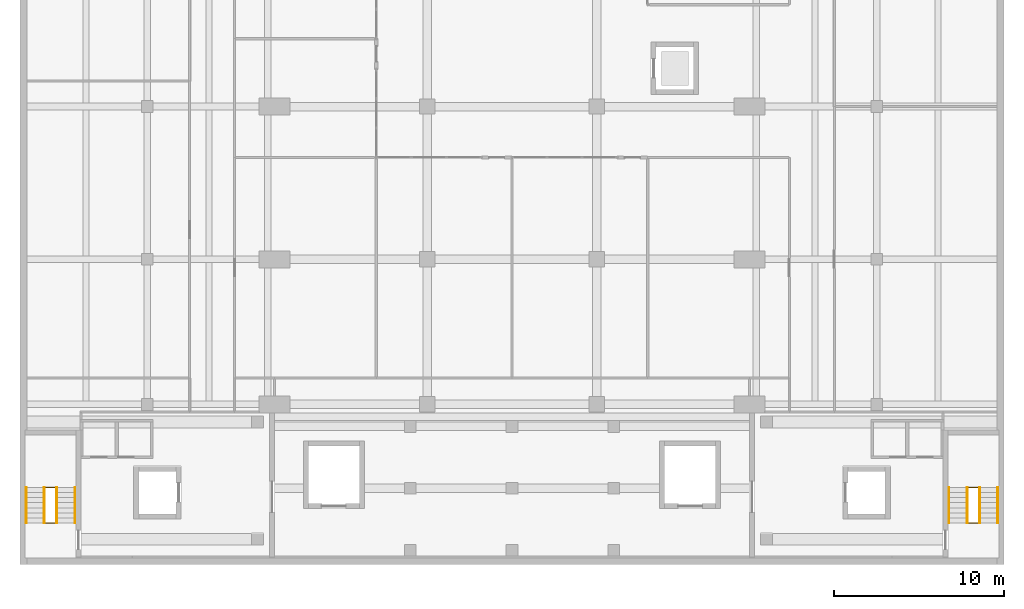
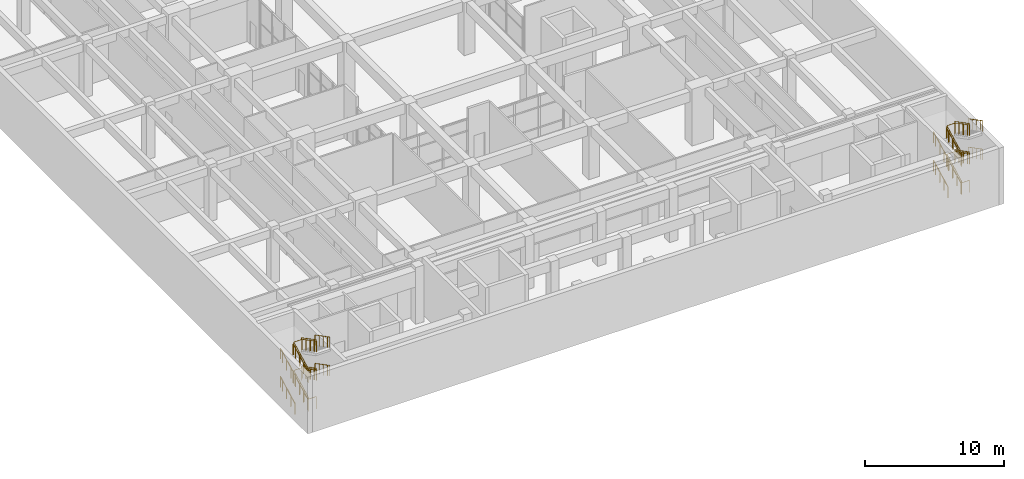
# One storey, part 27 of 29: 18 railings.
"""IFC4 building model written with IfcOpenShell, lengths in metres."""

from ifc_helpers import new_model, si_unit, direction, frame, origin, origin_2d, place, context, subcontext, project, spatial, circle, extrude, material, type_object, element, save


model = new_model("IFC4")

# Units and contexts
model_context = context("Model", 3, precision=1e-05, world=origin(), true_north=direction((0.0, 1.0)))
body_context = subcontext(model_context, "Body", "Model", "MODEL_VIEW")
ifc_project = project(units=[si_unit("LENGTHUNIT", "METRE"), si_unit("AREAUNIT", "SQUARE_METRE"), si_unit("VOLUMEUNIT", "CUBIC_METRE"), si_unit("PLANEANGLEUNIT", "RADIAN"), si_unit("MASSUNIT", "GRAM", prefix="KILO")], contexts=[model_context])

# Site, building, storey
site_placement = place(None, origin())
site = spatial("IfcSite", under=ifc_project, at=site_placement, CompositionType="ELEMENT")
building_placement = place(site_placement, origin())
building = spatial("IfcBuilding", under=site, at=building_placement, Name="Elmora Arch Market Hall", CompositionType="ELEMENT")
storey_placement = place(building_placement, frame((0.0, 0.0, -5.0)))
storey = spatial("IfcBuildingStorey", under=building, at=storey_placement, Name="LG", CompositionType="ELEMENT", Elevation=-5.0)

# Railings
ifc_material_1 = material(Name="Steel ASTM A500 Gr C", Category="steel")
railing_type_1 = type_object("IfcRailingType", Name="Stair guard 1100", PredefinedType="GUARDRAIL", material=ifc_material_1)
railing_1_placement = place(storey_placement, frame((2.1201171875, 20.449951171875, 0.0)))
element("IfcRailing", 1, at=railing_1_placement, inside=storey, type_object=railing_type_1, Name="Stair ST-WS guard LG", PredefinedType="GUARDRAIL", context=body_context, shape_type="SweptSolid", body=[
    extrude(circle(Radius=0.02392578125, at=origin_2d()), frame((0.0, 0.0, 1.076171875), z_axis=(-1.0, 0.0, 0.0), x_axis=(0.0, -1.0, 0.0)), (0.0, 0.0, 1.0), 0.64013671875),
    extrude(circle(Radius=0.02392578125, at=origin_2d()), frame((-0.64013671875, 0.0, 1.076171875), z_axis=(0.0, 0.0, 1.0), x_axis=(1.0, 0.0, 0.0)), (0.0, 0.0, 1.0), 0.15625),
    extrude(circle(Radius=0.02392578125, at=origin_2d()), frame((-0.64013671875, 0.0, 1.232421875), z_axis=(0.0, 0.886944881109, 0.461875283897), x_axis=(-1.0, 0.0, 0.0)), (0.0, 0.0, 1.0), 0.676513671875),
    extrude(circle(Radius=0.02392578125, at=origin_2d()), frame((-0.64013671875, 0.60009765625, 1.544921875), z_axis=(0.0, 0.886867866569, 0.462023145791), x_axis=(-1.0, 0.0, 0.0)), (0.0, 0.0, 1.0), 0.67626953125),
    extrude(circle(Radius=0.02392578125, at=origin_2d()), frame((-0.64013671875, 1.199951171875, 1.857421875), z_axis=(0.0, 0.886944881109, 0.461875283897), x_axis=(-1.0, 0.0, 0.0)), (0.0, 0.0, 1.0), 0.676513671875),
    extrude(circle(Radius=0.02392578125, at=origin_2d()), frame((-0.64013671875, 1.800048828125, 2.169921875), z_axis=(0.0, 0.886944881109, 0.461875283897), x_axis=(-1.0, 0.0, 0.0)), (0.0, 0.0, 1.0), 0.33837890625),
    extrude(circle(Radius=0.02392578125, at=origin_2d()), frame((-0.64013671875, 2.10009765625, 2.326171875), z_axis=(1.0, 0.0, 0.0), x_axis=(0.0, 1.0, 0.0)), (0.0, 0.0, 1.0), 0.64013671875),
    extrude(circle(Radius=0.02392578125, at=origin_2d()), frame((0.0, 2.10009765625, 2.326171875), z_axis=(0.0, 0.0, 1.0), x_axis=(1.0, 0.0, 0.0)), (0.0, 0.0, 1.0), 0.15625),
    extrude(circle(Radius=0.02392578125, at=origin_2d()), frame((0.0, 2.10009765625, 2.482421875), z_axis=(0.0, -0.886944881109, 0.461875283897), x_axis=(1.0, 0.0, 0.0)), (0.0, 0.0, 1.0), 0.676513671875),
    extrude(circle(Radius=0.02392578125, at=origin_2d()), frame((0.0, 1.5, 2.794921875), z_axis=(0.0, -0.886867866569, 0.462023145791), x_axis=(1.0, 0.0, 0.0)), (0.0, 0.0, 1.0), 0.67626953125),
    extrude(circle(Radius=0.02392578125, at=origin_2d()), frame((0.0, 0.900146484375, 3.107421875), z_axis=(0.0, -0.886944881109, 0.461875283897), x_axis=(1.0, 0.0, 0.0)), (0.0, 0.0, 1.0), 0.676513671875),
    extrude(circle(Radius=0.02392578125, at=origin_2d()), frame((0.0, 0.300048828125, 3.419921875), z_axis=(0.0, -0.886944881109, 0.461875283897), x_axis=(1.0, 0.0, 0.0)), (0.0, 0.0, 1.0), 0.33837890625),
    extrude(circle(Radius=0.02392578125, at=origin_2d()), frame((0.0, 0.0, 3.576171875), z_axis=(-1.0, 0.0, 0.0), x_axis=(0.0, -1.0, 0.0)), (0.0, 0.0, 1.0), 0.64013671875),
    extrude(circle(Radius=0.02392578125, at=origin_2d()), frame((-0.64013671875, 0.0, 3.576171875), z_axis=(0.0, 0.0, 1.0), x_axis=(1.0, 0.0, 0.0)), (0.0, 0.0, 1.0), 0.15625),
    extrude(circle(Radius=0.02392578125, at=origin_2d()), frame((-0.64013671875, 0.0, 3.732421875), z_axis=(0.0, 0.886944881109, 0.461875283897), x_axis=(-1.0, 0.0, 0.0)), (0.0, 0.0, 1.0), 0.676513671875),
    extrude(circle(Radius=0.02392578125, at=origin_2d()), frame((-0.64013671875, 0.60009765625, 4.044921875), z_axis=(0.0, 0.886867866569, 0.462023145791), x_axis=(-1.0, 0.0, 0.0)), (0.0, 0.0, 1.0), 0.67626953125),
    extrude(circle(Radius=0.02392578125, at=origin_2d()), frame((-0.64013671875, 1.199951171875, 4.357421875), z_axis=(0.0, 0.886944881109, 0.461875283897), x_axis=(-1.0, 0.0, 0.0)), (0.0, 0.0, 1.0), 0.676513671875),
    extrude(circle(Radius=0.02392578125, at=origin_2d()), frame((-0.64013671875, 1.800048828125, 4.669921875), z_axis=(0.0, 0.886944881109, 0.461875283897), x_axis=(-1.0, 0.0, 0.0)), (0.0, 0.0, 1.0), 0.33837890625),
    extrude(circle(Radius=0.02392578125, at=origin_2d()), frame((-0.64013671875, 2.10009765625, 4.826171875), z_axis=(1.0, 0.0, 0.0), x_axis=(0.0, 1.0, 0.0)), (0.0, 0.0, 1.0), 0.64013671875),
    extrude(circle(Radius=0.02392578125, at=origin_2d()), frame((0.0, 2.10009765625, 4.826171875), z_axis=(0.0, 0.0, 1.0), x_axis=(1.0, 0.0, 0.0)), (0.0, 0.0, 1.0), 0.15625),
    extrude(circle(Radius=0.02392578125, at=origin_2d()), frame((0.0, 2.10009765625, 4.982421875), z_axis=(0.0, -0.886944881109, 0.461875283897), x_axis=(1.0, 0.0, 0.0)), (0.0, 0.0, 1.0), 0.676513671875),
    extrude(circle(Radius=0.02392578125, at=origin_2d()), frame((0.0, 1.5, 5.294921875), z_axis=(0.0, -0.886867866569, 0.462023145791), x_axis=(1.0, 0.0, 0.0)), (0.0, 0.0, 1.0), 0.67626953125),
    extrude(circle(Radius=0.02392578125, at=origin_2d()), frame((0.0, 0.900146484375, 5.607421875), z_axis=(0.0, -0.886944881109, 0.461875283897), x_axis=(1.0, 0.0, 0.0)), (0.0, 0.0, 1.0), 0.676513671875),
    extrude(circle(Radius=0.02392578125, at=origin_2d()), frame((0.0, 0.300048828125, 5.919921875), z_axis=(0.0, -0.886944881109, 0.461875283897), x_axis=(1.0, 0.0, 0.0)), (0.0, 0.0, 1.0), 0.33837890625),
    extrude(circle(Radius=0.02099609375, at=origin_2d()), origin(), (0.0, 0.0, 1.0), 1.052001953125),
    extrude(circle(Radius=0.02099609375, at=origin_2d()), frame((-0.64013671875, 0.0, 0.0)), (0.0, 0.0, 1.0), 1.052001953125),
    extrude(circle(Radius=0.02099609375, at=origin_2d()), frame((-0.64013671875, 0.0, 0.15625)), (0.0, 0.0, 1.0), 1.052001953125),
    extrude(circle(Radius=0.02099609375, at=origin_2d()), frame((-0.64013671875, 0.60009765625, 0.46875)), (0.0, 0.0, 1.0), 1.052001953125),
    extrude(circle(Radius=0.02099609375, at=origin_2d()), frame((-0.64013671875, 1.199951171875, 0.78125)), (0.0, 0.0, 1.0), 1.052001953125),
    extrude(circle(Radius=0.02099609375, at=origin_2d()), frame((-0.64013671875, 1.800048828125, 1.09375)), (0.0, 0.0, 1.0), 1.052001953125),
    extrude(circle(Radius=0.02099609375, at=origin_2d()), frame((-0.64013671875, 2.10009765625, 1.25)), (0.0, 0.0, 1.0), 1.052001953125),
    extrude(circle(Radius=0.02099609375, at=origin_2d()), frame((0.0, 2.10009765625, 1.25)), (0.0, 0.0, 1.0), 1.052001953125),
    extrude(circle(Radius=0.02099609375, at=origin_2d()), frame((0.0, 2.10009765625, 1.40625)), (0.0, 0.0, 1.0), 1.052001953125),
    extrude(circle(Radius=0.02099609375, at=origin_2d()), frame((0.0, 1.5, 1.71875)), (0.0, 0.0, 1.0), 1.052001953125),
    extrude(circle(Radius=0.02099609375, at=origin_2d()), frame((0.0, 0.900146484375, 2.03125)), (0.0, 0.0, 1.0), 1.052001953125),
    extrude(circle(Radius=0.02099609375, at=origin_2d()), frame((0.0, 0.300048828125, 2.34375)), (0.0, 0.0, 1.0), 1.052001953125),
    extrude(circle(Radius=0.02099609375, at=origin_2d()), frame((0.0, 0.0, 2.5)), (0.0, 0.0, 1.0), 1.052001953125),
    extrude(circle(Radius=0.02099609375, at=origin_2d()), frame((-0.64013671875, 0.0, 2.5)), (0.0, 0.0, 1.0), 1.052001953125),
    extrude(circle(Radius=0.02099609375, at=origin_2d()), frame((-0.64013671875, 0.0, 2.65625)), (0.0, 0.0, 1.0), 1.052001953125),
    extrude(circle(Radius=0.02099609375, at=origin_2d()), frame((-0.64013671875, 0.60009765625, 2.96875)), (0.0, 0.0, 1.0), 1.052001953125),
    extrude(circle(Radius=0.02099609375, at=origin_2d()), frame((-0.64013671875, 1.199951171875, 3.28125)), (0.0, 0.0, 1.0), 1.052001953125),
    extrude(circle(Radius=0.02099609375, at=origin_2d()), frame((-0.64013671875, 1.800048828125, 3.59375)), (0.0, 0.0, 1.0), 1.052001953125),
    extrude(circle(Radius=0.02099609375, at=origin_2d()), frame((-0.64013671875, 2.10009765625, 3.75)), (0.0, 0.0, 1.0), 1.052001953125),
    extrude(circle(Radius=0.02099609375, at=origin_2d()), frame((0.0, 2.10009765625, 3.75)), (0.0, 0.0, 1.0), 1.052001953125),
    extrude(circle(Radius=0.02099609375, at=origin_2d()), frame((0.0, 2.10009765625, 3.90625)), (0.0, 0.0, 1.0), 1.052001953125),
    extrude(circle(Radius=0.02099609375, at=origin_2d()), frame((0.0, 1.5, 4.21875)), (0.0, 0.0, 1.0), 1.052001953125),
    extrude(circle(Radius=0.02099609375, at=origin_2d()), frame((0.0, 0.900146484375, 4.53125)), (0.0, 0.0, 1.0), 1.052001953125),
    extrude(circle(Radius=0.02099609375, at=origin_2d()), frame((0.0, 0.300048828125, 4.84375)), (0.0, 0.0, 1.0), 1.052001953125),
    extrude(circle(Radius=0.02099609375, at=origin_2d()), frame((0.0, 0.0, 5.0)), (0.0, 0.0, 1.0), 1.052001953125),
])
railing_2_placement = place(storey_placement, frame((56.52001953125, 20.449951171875, 0.0)))
element("IfcRailing", 2, at=railing_2_placement, inside=storey, type_object=railing_type_1, Name="Stair ST-ES guard LG", PredefinedType="GUARDRAIL", context=body_context, shape_type="SweptSolid", body=[
    extrude(circle(Radius=0.02392578125, at=origin_2d()), frame((0.0, 0.0, 1.076171875), z_axis=(-1.0, 0.0, 0.0), x_axis=(0.0, -1.0, 0.0)), (0.0, 0.0, 1.0), 0.64013671875),
    extrude(circle(Radius=0.02392578125, at=origin_2d()), frame((-0.64013671875, 0.0, 1.076171875), z_axis=(0.0, 0.0, 1.0), x_axis=(1.0, 0.0, 0.0)), (0.0, 0.0, 1.0), 0.15625),
    extrude(circle(Radius=0.02392578125, at=origin_2d()), frame((-0.64013671875, 0.0, 1.232421875), z_axis=(0.0, 0.886944881109, 0.461875283897), x_axis=(-1.0, 0.0, 0.0)), (0.0, 0.0, 1.0), 0.676513671875),
    extrude(circle(Radius=0.02392578125, at=origin_2d()), frame((-0.64013671875, 0.60009765625, 1.544921875), z_axis=(0.0, 0.886867866569, 0.462023145791), x_axis=(-1.0, 0.0, 0.0)), (0.0, 0.0, 1.0), 0.67626953125),
    extrude(circle(Radius=0.02392578125, at=origin_2d()), frame((-0.64013671875, 1.199951171875, 1.857421875), z_axis=(0.0, 0.886944881109, 0.461875283897), x_axis=(-1.0, 0.0, 0.0)), (0.0, 0.0, 1.0), 0.676513671875),
    extrude(circle(Radius=0.02392578125, at=origin_2d()), frame((-0.64013671875, 1.800048828125, 2.169921875), z_axis=(0.0, 0.886944881109, 0.461875283897), x_axis=(-1.0, 0.0, 0.0)), (0.0, 0.0, 1.0), 0.33837890625),
    extrude(circle(Radius=0.02392578125, at=origin_2d()), frame((-0.64013671875, 2.10009765625, 2.326171875), z_axis=(1.0, 0.0, 0.0), x_axis=(0.0, 1.0, 0.0)), (0.0, 0.0, 1.0), 0.64013671875),
    extrude(circle(Radius=0.02392578125, at=origin_2d()), frame((0.0, 2.10009765625, 2.326171875), z_axis=(0.0, 0.0, 1.0), x_axis=(1.0, 0.0, 0.0)), (0.0, 0.0, 1.0), 0.15625),
    extrude(circle(Radius=0.02392578125, at=origin_2d()), frame((0.0, 2.10009765625, 2.482421875), z_axis=(0.0, -0.886944881109, 0.461875283897), x_axis=(1.0, 0.0, 0.0)), (0.0, 0.0, 1.0), 0.676513671875),
    extrude(circle(Radius=0.02392578125, at=origin_2d()), frame((0.0, 1.5, 2.794921875), z_axis=(0.0, -0.886867866569, 0.462023145791), x_axis=(1.0, 0.0, 0.0)), (0.0, 0.0, 1.0), 0.67626953125),
    extrude(circle(Radius=0.02392578125, at=origin_2d()), frame((0.0, 0.900146484375, 3.107421875), z_axis=(0.0, -0.886944881109, 0.461875283897), x_axis=(1.0, 0.0, 0.0)), (0.0, 0.0, 1.0), 0.676513671875),
    extrude(circle(Radius=0.02392578125, at=origin_2d()), frame((0.0, 0.300048828125, 3.419921875), z_axis=(0.0, -0.886944881109, 0.461875283897), x_axis=(1.0, 0.0, 0.0)), (0.0, 0.0, 1.0), 0.33837890625),
    extrude(circle(Radius=0.02392578125, at=origin_2d()), frame((0.0, 0.0, 3.576171875), z_axis=(-1.0, 0.0, 0.0), x_axis=(0.0, -1.0, 0.0)), (0.0, 0.0, 1.0), 0.64013671875),
    extrude(circle(Radius=0.02392578125, at=origin_2d()), frame((-0.64013671875, 0.0, 3.576171875), z_axis=(0.0, 0.0, 1.0), x_axis=(1.0, 0.0, 0.0)), (0.0, 0.0, 1.0), 0.15625),
    extrude(circle(Radius=0.02392578125, at=origin_2d()), frame((-0.64013671875, 0.0, 3.732421875), z_axis=(0.0, 0.886944881109, 0.461875283897), x_axis=(-1.0, 0.0, 0.0)), (0.0, 0.0, 1.0), 0.676513671875),
    extrude(circle(Radius=0.02392578125, at=origin_2d()), frame((-0.64013671875, 0.60009765625, 4.044921875), z_axis=(0.0, 0.886867866569, 0.462023145791), x_axis=(-1.0, 0.0, 0.0)), (0.0, 0.0, 1.0), 0.67626953125),
    extrude(circle(Radius=0.02392578125, at=origin_2d()), frame((-0.64013671875, 1.199951171875, 4.357421875), z_axis=(0.0, 0.886944881109, 0.461875283897), x_axis=(-1.0, 0.0, 0.0)), (0.0, 0.0, 1.0), 0.676513671875),
    extrude(circle(Radius=0.02392578125, at=origin_2d()), frame((-0.64013671875, 1.800048828125, 4.669921875), z_axis=(0.0, 0.886944881109, 0.461875283897), x_axis=(-1.0, 0.0, 0.0)), (0.0, 0.0, 1.0), 0.33837890625),
    extrude(circle(Radius=0.02392578125, at=origin_2d()), frame((-0.64013671875, 2.10009765625, 4.826171875), z_axis=(1.0, 0.0, 0.0), x_axis=(0.0, 1.0, 0.0)), (0.0, 0.0, 1.0), 0.64013671875),
    extrude(circle(Radius=0.02392578125, at=origin_2d()), frame((0.0, 2.10009765625, 4.826171875), z_axis=(0.0, 0.0, 1.0), x_axis=(1.0, 0.0, 0.0)), (0.0, 0.0, 1.0), 0.15625),
    extrude(circle(Radius=0.02392578125, at=origin_2d()), frame((0.0, 2.10009765625, 4.982421875), z_axis=(0.0, -0.886944881109, 0.461875283897), x_axis=(1.0, 0.0, 0.0)), (0.0, 0.0, 1.0), 0.676513671875),
    extrude(circle(Radius=0.02392578125, at=origin_2d()), frame((0.0, 1.5, 5.294921875), z_axis=(0.0, -0.886867866569, 0.462023145791), x_axis=(1.0, 0.0, 0.0)), (0.0, 0.0, 1.0), 0.67626953125),
    extrude(circle(Radius=0.02392578125, at=origin_2d()), frame((0.0, 0.900146484375, 5.607421875), z_axis=(0.0, -0.886944881109, 0.461875283897), x_axis=(1.0, 0.0, 0.0)), (0.0, 0.0, 1.0), 0.676513671875),
    extrude(circle(Radius=0.02392578125, at=origin_2d()), frame((0.0, 0.300048828125, 5.919921875), z_axis=(0.0, -0.886944881109, 0.461875283897), x_axis=(1.0, 0.0, 0.0)), (0.0, 0.0, 1.0), 0.33837890625),
    extrude(circle(Radius=0.02099609375, at=origin_2d()), origin(), (0.0, 0.0, 1.0), 1.052001953125),
    extrude(circle(Radius=0.02099609375, at=origin_2d()), frame((-0.64013671875, 0.0, 0.0)), (0.0, 0.0, 1.0), 1.052001953125),
    extrude(circle(Radius=0.02099609375, at=origin_2d()), frame((-0.64013671875, 0.0, 0.15625)), (0.0, 0.0, 1.0), 1.052001953125),
    extrude(circle(Radius=0.02099609375, at=origin_2d()), frame((-0.64013671875, 0.60009765625, 0.46875)), (0.0, 0.0, 1.0), 1.052001953125),
    extrude(circle(Radius=0.02099609375, at=origin_2d()), frame((-0.64013671875, 1.199951171875, 0.78125)), (0.0, 0.0, 1.0), 1.052001953125),
    extrude(circle(Radius=0.02099609375, at=origin_2d()), frame((-0.64013671875, 1.800048828125, 1.09375)), (0.0, 0.0, 1.0), 1.052001953125),
    extrude(circle(Radius=0.02099609375, at=origin_2d()), frame((-0.64013671875, 2.10009765625, 1.25)), (0.0, 0.0, 1.0), 1.052001953125),
    extrude(circle(Radius=0.02099609375, at=origin_2d()), frame((0.0, 2.10009765625, 1.25)), (0.0, 0.0, 1.0), 1.052001953125),
    extrude(circle(Radius=0.02099609375, at=origin_2d()), frame((0.0, 2.10009765625, 1.40625)), (0.0, 0.0, 1.0), 1.052001953125),
    extrude(circle(Radius=0.02099609375, at=origin_2d()), frame((0.0, 1.5, 1.71875)), (0.0, 0.0, 1.0), 1.052001953125),
    extrude(circle(Radius=0.02099609375, at=origin_2d()), frame((0.0, 0.900146484375, 2.03125)), (0.0, 0.0, 1.0), 1.052001953125),
    extrude(circle(Radius=0.02099609375, at=origin_2d()), frame((0.0, 0.300048828125, 2.34375)), (0.0, 0.0, 1.0), 1.052001953125),
    extrude(circle(Radius=0.02099609375, at=origin_2d()), frame((0.0, 0.0, 2.5)), (0.0, 0.0, 1.0), 1.052001953125),
    extrude(circle(Radius=0.02099609375, at=origin_2d()), frame((-0.64013671875, 0.0, 2.5)), (0.0, 0.0, 1.0), 1.052001953125),
    extrude(circle(Radius=0.02099609375, at=origin_2d()), frame((-0.64013671875, 0.0, 2.65625)), (0.0, 0.0, 1.0), 1.052001953125),
    extrude(circle(Radius=0.02099609375, at=origin_2d()), frame((-0.64013671875, 0.60009765625, 2.96875)), (0.0, 0.0, 1.0), 1.052001953125),
    extrude(circle(Radius=0.02099609375, at=origin_2d()), frame((-0.64013671875, 1.199951171875, 3.28125)), (0.0, 0.0, 1.0), 1.052001953125),
    extrude(circle(Radius=0.02099609375, at=origin_2d()), frame((-0.64013671875, 1.800048828125, 3.59375)), (0.0, 0.0, 1.0), 1.052001953125),
    extrude(circle(Radius=0.02099609375, at=origin_2d()), frame((-0.64013671875, 2.10009765625, 3.75)), (0.0, 0.0, 1.0), 1.052001953125),
    extrude(circle(Radius=0.02099609375, at=origin_2d()), frame((0.0, 2.10009765625, 3.75)), (0.0, 0.0, 1.0), 1.052001953125),
    extrude(circle(Radius=0.02099609375, at=origin_2d()), frame((0.0, 2.10009765625, 3.90625)), (0.0, 0.0, 1.0), 1.052001953125),
    extrude(circle(Radius=0.02099609375, at=origin_2d()), frame((0.0, 1.5, 4.21875)), (0.0, 0.0, 1.0), 1.052001953125),
    extrude(circle(Radius=0.02099609375, at=origin_2d()), frame((0.0, 0.900146484375, 4.53125)), (0.0, 0.0, 1.0), 1.052001953125),
    extrude(circle(Radius=0.02099609375, at=origin_2d()), frame((0.0, 0.300048828125, 4.84375)), (0.0, 0.0, 1.0), 1.052001953125),
    extrude(circle(Radius=0.02099609375, at=origin_2d()), frame((0.0, 0.0, 5.0)), (0.0, 0.0, 1.0), 1.052001953125),
])
ifc_material_2 = material(Name="Stainless steel ASTM A554 Grade 304", Category="steel")
railing_type_2 = type_object("IfcRailingType", Name="Stair handrail 950", PredefinedType="HANDRAIL", material=ifc_material_2)
for number, where, name in (
    (3, (0.360107421875, 20.449951171875, 0.15625), "Stair ST-WS LG flight 1 handrail"),
    (4, (1.429931640625, 20.449951171875, 0.15625), "Stair ST-WS LG flight 1 handrail"),
):
    element("IfcRailing", number, at=place(storey_placement, frame(where)), inside=storey, type_object=railing_type_2, Name=name, PredefinedType="HANDRAIL", context=body_context, shape_type="SweptSolid", body=[
        extrude(circle(Radius=0.02392578125, at=origin_2d()), frame((0.0, 0.0, 0.92578125), z_axis=(0.0, 0.886944881109, 0.461875283897), x_axis=(-1.0, 0.0, 0.0)), (0.0, 0.0, 1.0), 0.676513671875),
        extrude(circle(Radius=0.02392578125, at=origin_2d()), frame((0.0, 0.60009765625, 1.23828125), z_axis=(0.0, 0.886867866569, 0.462023145791), x_axis=(-1.0, 0.0, 0.0)), (0.0, 0.0, 1.0), 0.67626953125),
        extrude(circle(Radius=0.02392578125, at=origin_2d()), frame((0.0, 1.199951171875, 1.55078125), z_axis=(0.0, 0.886944881109, 0.461875283897), x_axis=(-1.0, 0.0, 0.0)), (0.0, 0.0, 1.0), 0.676513671875),
        extrude(circle(Radius=0.02392578125, at=origin_2d()), frame((0.0, 1.800048828125, 1.86328125), z_axis=(0.0, 0.886944881109, 0.461875283897), x_axis=(-1.0, 0.0, 0.0)), (0.0, 0.0, 1.0), 0.33837890625),
        extrude(circle(Radius=0.02099609375, at=origin_2d()), origin(), (0.0, 0.0, 1.0), 0.90185546875),
        extrude(circle(Radius=0.02099609375, at=origin_2d()), frame((0.0, 0.60009765625, 0.3125)), (0.0, 0.0, 1.0), 0.90185546875),
        extrude(circle(Radius=0.02099609375, at=origin_2d()), frame((0.0, 1.199951171875, 0.625)), (0.0, 0.0, 1.0), 0.90185546875),
        extrude(circle(Radius=0.02099609375, at=origin_2d()), frame((0.0, 1.800048828125, 0.9375)), (0.0, 0.0, 1.0), 0.90185546875),
        extrude(circle(Radius=0.02099609375, at=origin_2d()), frame((0.0, 2.10009765625, 1.09375)), (0.0, 0.0, 1.0), 0.90185546875),
    ])
for number, where, name in (
    (5, (3.239990234375, 22.550048828125, 1.40625), "Stair ST-WS LG flight 2 handrail"),
    (6, (2.169921875, 22.550048828125, 1.40625), "Stair ST-WS LG flight 2 handrail"),
):
    element("IfcRailing", number, at=place(storey_placement, frame(where)), inside=storey, type_object=railing_type_2, Name=name, PredefinedType="HANDRAIL", context=body_context, shape_type="SweptSolid", body=[
        extrude(circle(Radius=0.02392578125, at=origin_2d()), frame((0.0, 0.0, 0.92578125), z_axis=(0.0, -0.886944881109, 0.461875283897), x_axis=(1.0, 0.0, 0.0)), (0.0, 0.0, 1.0), 0.676513671875),
        extrude(circle(Radius=0.02392578125, at=origin_2d()), frame((0.0, -0.60009765625, 1.23828125), z_axis=(0.0, -0.886867866569, 0.462023145791), x_axis=(1.0, 0.0, 0.0)), (0.0, 0.0, 1.0), 0.67626953125),
        extrude(circle(Radius=0.02392578125, at=origin_2d()), frame((0.0, -1.199951171875, 1.55078125), z_axis=(0.0, -0.886944881109, 0.461875283897), x_axis=(1.0, 0.0, 0.0)), (0.0, 0.0, 1.0), 0.676513671875),
        extrude(circle(Radius=0.02392578125, at=origin_2d()), frame((0.0, -1.800048828125, 1.86328125), z_axis=(0.0, -0.886944881109, 0.461875283897), x_axis=(1.0, 0.0, 0.0)), (0.0, 0.0, 1.0), 0.33837890625),
        extrude(circle(Radius=0.02099609375, at=origin_2d()), origin(), (0.0, 0.0, 1.0), 0.90185546875),
        extrude(circle(Radius=0.02099609375, at=origin_2d()), frame((0.0, -0.60009765625, 0.3125)), (0.0, 0.0, 1.0), 0.90185546875),
        extrude(circle(Radius=0.02099609375, at=origin_2d()), frame((0.0, -1.199951171875, 0.625)), (0.0, 0.0, 1.0), 0.90185546875),
        extrude(circle(Radius=0.02099609375, at=origin_2d()), frame((0.0, -1.800048828125, 0.9375)), (0.0, 0.0, 1.0), 0.90185546875),
        extrude(circle(Radius=0.02099609375, at=origin_2d()), frame((0.0, -2.10009765625, 1.09375)), (0.0, 0.0, 1.0), 0.90185546875),
    ])
for number, where, name in (
    (7, (0.360107421875, 20.449951171875, 2.65625), "Stair ST-WS LG flight 3 handrail"),
    (8, (1.429931640625, 20.449951171875, 2.65625), "Stair ST-WS LG flight 3 handrail"),
):
    element("IfcRailing", number, at=place(storey_placement, frame(where)), inside=storey, type_object=railing_type_2, Name=name, PredefinedType="HANDRAIL", context=body_context, shape_type="SweptSolid", body=[
        extrude(circle(Radius=0.02392578125, at=origin_2d()), frame((0.0, 0.0, 0.92578125), z_axis=(0.0, 0.886944881109, 0.461875283897), x_axis=(-1.0, 0.0, 0.0)), (0.0, 0.0, 1.0), 0.676513671875),
        extrude(circle(Radius=0.02392578125, at=origin_2d()), frame((0.0, 0.60009765625, 1.23828125), z_axis=(0.0, 0.886867866569, 0.462023145791), x_axis=(-1.0, 0.0, 0.0)), (0.0, 0.0, 1.0), 0.67626953125),
        extrude(circle(Radius=0.02392578125, at=origin_2d()), frame((0.0, 1.199951171875, 1.55078125), z_axis=(0.0, 0.886944881109, 0.461875283897), x_axis=(-1.0, 0.0, 0.0)), (0.0, 0.0, 1.0), 0.676513671875),
        extrude(circle(Radius=0.02392578125, at=origin_2d()), frame((0.0, 1.800048828125, 1.86328125), z_axis=(0.0, 0.886944881109, 0.461875283897), x_axis=(-1.0, 0.0, 0.0)), (0.0, 0.0, 1.0), 0.33837890625),
        extrude(circle(Radius=0.02099609375, at=origin_2d()), origin(), (0.0, 0.0, 1.0), 0.90185546875),
        extrude(circle(Radius=0.02099609375, at=origin_2d()), frame((0.0, 0.60009765625, 0.3125)), (0.0, 0.0, 1.0), 0.90185546875),
        extrude(circle(Radius=0.02099609375, at=origin_2d()), frame((0.0, 1.199951171875, 0.625)), (0.0, 0.0, 1.0), 0.90185546875),
        extrude(circle(Radius=0.02099609375, at=origin_2d()), frame((0.0, 1.800048828125, 0.9375)), (0.0, 0.0, 1.0), 0.90185546875),
        extrude(circle(Radius=0.02099609375, at=origin_2d()), frame((0.0, 2.10009765625, 1.09375)), (0.0, 0.0, 1.0), 0.90185546875),
    ])
for number, where, name in (
    (9, (3.239990234375, 22.550048828125, 3.90625), "Stair ST-WS LG flight 4 handrail"),
    (10, (2.169921875, 22.550048828125, 3.90625), "Stair ST-WS LG flight 4 handrail"),
):
    element("IfcRailing", number, at=place(storey_placement, frame(where)), inside=storey, type_object=railing_type_2, Name=name, PredefinedType="HANDRAIL", context=body_context, shape_type="SweptSolid", body=[
        extrude(circle(Radius=0.02392578125, at=origin_2d()), frame((0.0, 0.0, 0.92578125), z_axis=(0.0, -0.886944881109, 0.461875283897), x_axis=(1.0, 0.0, 0.0)), (0.0, 0.0, 1.0), 0.676513671875),
        extrude(circle(Radius=0.02392578125, at=origin_2d()), frame((0.0, -0.60009765625, 1.23828125), z_axis=(0.0, -0.886867866569, 0.462023145791), x_axis=(1.0, 0.0, 0.0)), (0.0, 0.0, 1.0), 0.67626953125),
        extrude(circle(Radius=0.02392578125, at=origin_2d()), frame((0.0, -1.199951171875, 1.55078125), z_axis=(0.0, -0.886944881109, 0.461875283897), x_axis=(1.0, 0.0, 0.0)), (0.0, 0.0, 1.0), 0.676513671875),
        extrude(circle(Radius=0.02392578125, at=origin_2d()), frame((0.0, -1.800048828125, 1.86328125), z_axis=(0.0, -0.886944881109, 0.461875283897), x_axis=(1.0, 0.0, 0.0)), (0.0, 0.0, 1.0), 0.33837890625),
        extrude(circle(Radius=0.02099609375, at=origin_2d()), origin(), (0.0, 0.0, 1.0), 0.90185546875),
        extrude(circle(Radius=0.02099609375, at=origin_2d()), frame((0.0, -0.60009765625, 0.3125)), (0.0, 0.0, 1.0), 0.90185546875),
        extrude(circle(Radius=0.02099609375, at=origin_2d()), frame((0.0, -1.199951171875, 0.625)), (0.0, 0.0, 1.0), 0.90185546875),
        extrude(circle(Radius=0.02099609375, at=origin_2d()), frame((0.0, -1.800048828125, 0.9375)), (0.0, 0.0, 1.0), 0.90185546875),
        extrude(circle(Radius=0.02099609375, at=origin_2d()), frame((0.0, -2.10009765625, 1.09375)), (0.0, 0.0, 1.0), 0.90185546875),
    ])
for number, where, name in (
    (11, (54.760009765625, 20.449951171875, 0.15625), "Stair ST-ES LG flight 1 handrail"),
    (12, (55.830078125, 20.449951171875, 0.15625), "Stair ST-ES LG flight 1 handrail"),
):
    element("IfcRailing", number, at=place(storey_placement, frame(where)), inside=storey, type_object=railing_type_2, Name=name, PredefinedType="HANDRAIL", context=body_context, shape_type="SweptSolid", body=[
        extrude(circle(Radius=0.02392578125, at=origin_2d()), frame((0.0, 0.0, 0.92578125), z_axis=(0.0, 0.886944881109, 0.461875283897), x_axis=(-1.0, 0.0, 0.0)), (0.0, 0.0, 1.0), 0.676513671875),
        extrude(circle(Radius=0.02392578125, at=origin_2d()), frame((0.0, 0.60009765625, 1.23828125), z_axis=(0.0, 0.886867866569, 0.462023145791), x_axis=(-1.0, 0.0, 0.0)), (0.0, 0.0, 1.0), 0.67626953125),
        extrude(circle(Radius=0.02392578125, at=origin_2d()), frame((0.0, 1.199951171875, 1.55078125), z_axis=(0.0, 0.886944881109, 0.461875283897), x_axis=(-1.0, 0.0, 0.0)), (0.0, 0.0, 1.0), 0.676513671875),
        extrude(circle(Radius=0.02392578125, at=origin_2d()), frame((0.0, 1.800048828125, 1.86328125), z_axis=(0.0, 0.886944881109, 0.461875283897), x_axis=(-1.0, 0.0, 0.0)), (0.0, 0.0, 1.0), 0.33837890625),
        extrude(circle(Radius=0.02099609375, at=origin_2d()), origin(), (0.0, 0.0, 1.0), 0.90185546875),
        extrude(circle(Radius=0.02099609375, at=origin_2d()), frame((0.0, 0.60009765625, 0.3125)), (0.0, 0.0, 1.0), 0.90185546875),
        extrude(circle(Radius=0.02099609375, at=origin_2d()), frame((0.0, 1.199951171875, 0.625)), (0.0, 0.0, 1.0), 0.90185546875),
        extrude(circle(Radius=0.02099609375, at=origin_2d()), frame((0.0, 1.800048828125, 0.9375)), (0.0, 0.0, 1.0), 0.90185546875),
        extrude(circle(Radius=0.02099609375, at=origin_2d()), frame((0.0, 2.10009765625, 1.09375)), (0.0, 0.0, 1.0), 0.90185546875),
    ])
for number, where, name in (
    (13, (57.639892578125, 22.550048828125, 1.40625), "Stair ST-ES LG flight 2 handrail"),
    (14, (56.570068359375, 22.550048828125, 1.40625), "Stair ST-ES LG flight 2 handrail"),
):
    element("IfcRailing", number, at=place(storey_placement, frame(where)), inside=storey, type_object=railing_type_2, Name=name, PredefinedType="HANDRAIL", context=body_context, shape_type="SweptSolid", body=[
        extrude(circle(Radius=0.02392578125, at=origin_2d()), frame((0.0, 0.0, 0.92578125), z_axis=(0.0, -0.886944881109, 0.461875283897), x_axis=(1.0, 0.0, 0.0)), (0.0, 0.0, 1.0), 0.676513671875),
        extrude(circle(Radius=0.02392578125, at=origin_2d()), frame((0.0, -0.60009765625, 1.23828125), z_axis=(0.0, -0.886867866569, 0.462023145791), x_axis=(1.0, 0.0, 0.0)), (0.0, 0.0, 1.0), 0.67626953125),
        extrude(circle(Radius=0.02392578125, at=origin_2d()), frame((0.0, -1.199951171875, 1.55078125), z_axis=(0.0, -0.886944881109, 0.461875283897), x_axis=(1.0, 0.0, 0.0)), (0.0, 0.0, 1.0), 0.676513671875),
        extrude(circle(Radius=0.02392578125, at=origin_2d()), frame((0.0, -1.800048828125, 1.86328125), z_axis=(0.0, -0.886944881109, 0.461875283897), x_axis=(1.0, 0.0, 0.0)), (0.0, 0.0, 1.0), 0.33837890625),
        extrude(circle(Radius=0.02099609375, at=origin_2d()), origin(), (0.0, 0.0, 1.0), 0.90185546875),
        extrude(circle(Radius=0.02099609375, at=origin_2d()), frame((0.0, -0.60009765625, 0.3125)), (0.0, 0.0, 1.0), 0.90185546875),
        extrude(circle(Radius=0.02099609375, at=origin_2d()), frame((0.0, -1.199951171875, 0.625)), (0.0, 0.0, 1.0), 0.90185546875),
        extrude(circle(Radius=0.02099609375, at=origin_2d()), frame((0.0, -1.800048828125, 0.9375)), (0.0, 0.0, 1.0), 0.90185546875),
        extrude(circle(Radius=0.02099609375, at=origin_2d()), frame((0.0, -2.10009765625, 1.09375)), (0.0, 0.0, 1.0), 0.90185546875),
    ])
for number, where, name in (
    (15, (54.760009765625, 20.449951171875, 2.65625), "Stair ST-ES LG flight 3 handrail"),
    (16, (55.830078125, 20.449951171875, 2.65625), "Stair ST-ES LG flight 3 handrail"),
):
    element("IfcRailing", number, at=place(storey_placement, frame(where)), inside=storey, type_object=railing_type_2, Name=name, PredefinedType="HANDRAIL", context=body_context, shape_type="SweptSolid", body=[
        extrude(circle(Radius=0.02392578125, at=origin_2d()), frame((0.0, 0.0, 0.92578125), z_axis=(0.0, 0.886944881109, 0.461875283897), x_axis=(-1.0, 0.0, 0.0)), (0.0, 0.0, 1.0), 0.676513671875),
        extrude(circle(Radius=0.02392578125, at=origin_2d()), frame((0.0, 0.60009765625, 1.23828125), z_axis=(0.0, 0.886867866569, 0.462023145791), x_axis=(-1.0, 0.0, 0.0)), (0.0, 0.0, 1.0), 0.67626953125),
        extrude(circle(Radius=0.02392578125, at=origin_2d()), frame((0.0, 1.199951171875, 1.55078125), z_axis=(0.0, 0.886944881109, 0.461875283897), x_axis=(-1.0, 0.0, 0.0)), (0.0, 0.0, 1.0), 0.676513671875),
        extrude(circle(Radius=0.02392578125, at=origin_2d()), frame((0.0, 1.800048828125, 1.86328125), z_axis=(0.0, 0.886944881109, 0.461875283897), x_axis=(-1.0, 0.0, 0.0)), (0.0, 0.0, 1.0), 0.33837890625),
        extrude(circle(Radius=0.02099609375, at=origin_2d()), origin(), (0.0, 0.0, 1.0), 0.90185546875),
        extrude(circle(Radius=0.02099609375, at=origin_2d()), frame((0.0, 0.60009765625, 0.3125)), (0.0, 0.0, 1.0), 0.90185546875),
        extrude(circle(Radius=0.02099609375, at=origin_2d()), frame((0.0, 1.199951171875, 0.625)), (0.0, 0.0, 1.0), 0.90185546875),
        extrude(circle(Radius=0.02099609375, at=origin_2d()), frame((0.0, 1.800048828125, 0.9375)), (0.0, 0.0, 1.0), 0.90185546875),
        extrude(circle(Radius=0.02099609375, at=origin_2d()), frame((0.0, 2.10009765625, 1.09375)), (0.0, 0.0, 1.0), 0.90185546875),
    ])
for number, where, name in (
    (17, (57.639892578125, 22.550048828125, 3.90625), "Stair ST-ES LG flight 4 handrail"),
    (18, (56.570068359375, 22.550048828125, 3.90625), "Stair ST-ES LG flight 4 handrail"),
):
    element("IfcRailing", number, at=place(storey_placement, frame(where)), inside=storey, type_object=railing_type_2, Name=name, PredefinedType="HANDRAIL", context=body_context, shape_type="SweptSolid", body=[
        extrude(circle(Radius=0.02392578125, at=origin_2d()), frame((0.0, 0.0, 0.92578125), z_axis=(0.0, -0.886944881109, 0.461875283897), x_axis=(1.0, 0.0, 0.0)), (0.0, 0.0, 1.0), 0.676513671875),
        extrude(circle(Radius=0.02392578125, at=origin_2d()), frame((0.0, -0.60009765625, 1.23828125), z_axis=(0.0, -0.886867866569, 0.462023145791), x_axis=(1.0, 0.0, 0.0)), (0.0, 0.0, 1.0), 0.67626953125),
        extrude(circle(Radius=0.02392578125, at=origin_2d()), frame((0.0, -1.199951171875, 1.55078125), z_axis=(0.0, -0.886944881109, 0.461875283897), x_axis=(1.0, 0.0, 0.0)), (0.0, 0.0, 1.0), 0.676513671875),
        extrude(circle(Radius=0.02392578125, at=origin_2d()), frame((0.0, -1.800048828125, 1.86328125), z_axis=(0.0, -0.886944881109, 0.461875283897), x_axis=(1.0, 0.0, 0.0)), (0.0, 0.0, 1.0), 0.33837890625),
        extrude(circle(Radius=0.02099609375, at=origin_2d()), origin(), (0.0, 0.0, 1.0), 0.90185546875),
        extrude(circle(Radius=0.02099609375, at=origin_2d()), frame((0.0, -0.60009765625, 0.3125)), (0.0, 0.0, 1.0), 0.90185546875),
        extrude(circle(Radius=0.02099609375, at=origin_2d()), frame((0.0, -1.199951171875, 0.625)), (0.0, 0.0, 1.0), 0.90185546875),
        extrude(circle(Radius=0.02099609375, at=origin_2d()), frame((0.0, -1.800048828125, 0.9375)), (0.0, 0.0, 1.0), 0.90185546875),
        extrude(circle(Radius=0.02099609375, at=origin_2d()), frame((0.0, -2.10009765625, 1.09375)), (0.0, 0.0, 1.0), 0.90185546875),
    ])

save(model, "model.ifc")
